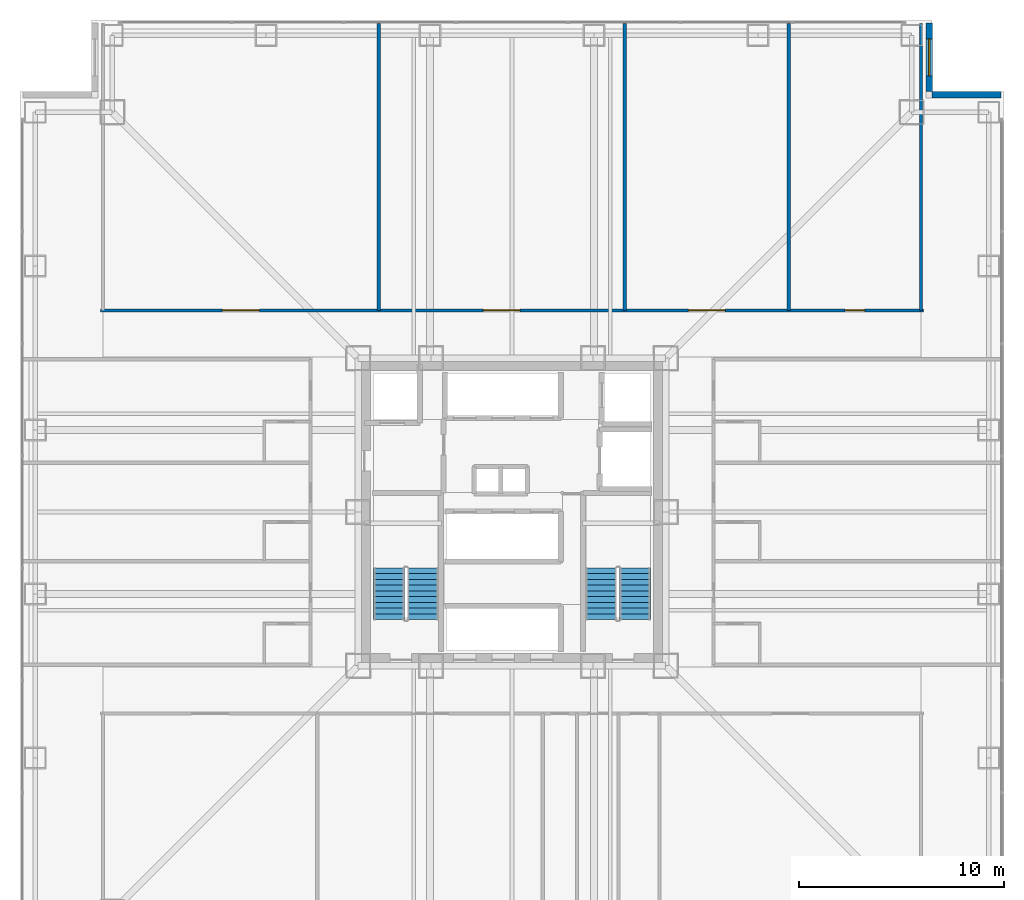
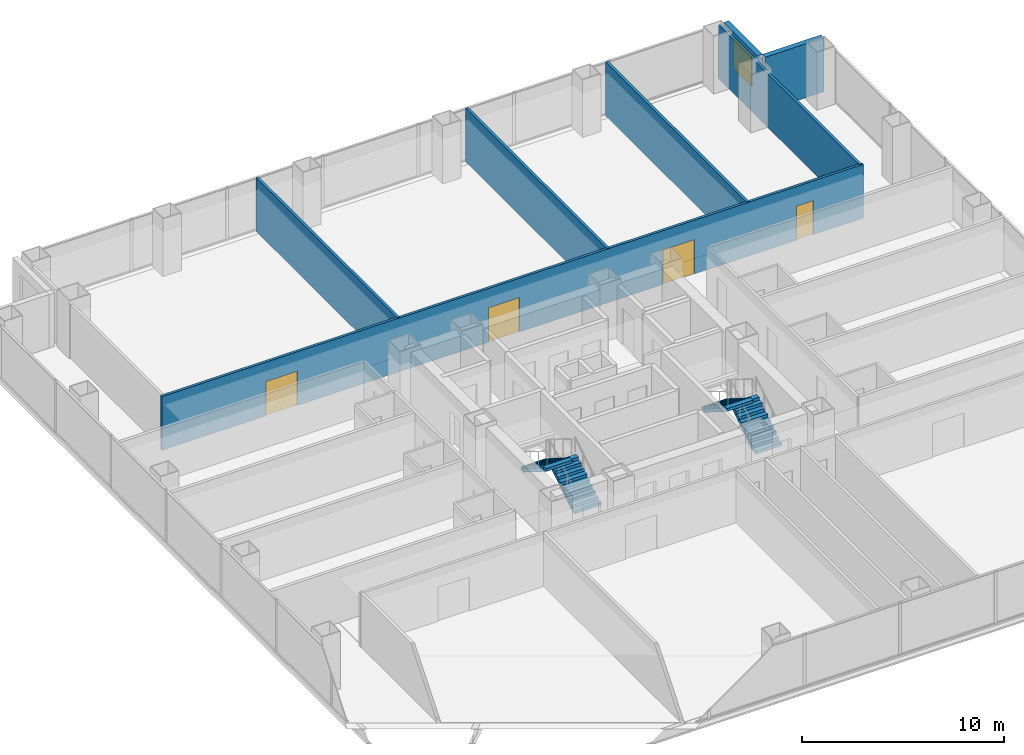
# One storey, part 13 of 16: 7 walls, 4 doors, 4 stair flights, 1 window, 5 openings, 2 elements without a shape of their own.
"""IFC4 building model written with IfcOpenShell, lengths in metres."""

from ifc_helpers import new_model, si_unit, direction, frame, frame_2d, origin, place, context, subcontext, project, spatial, polyline, rectangle, outline, extrude, material, layer, layer_set, type_object, element, fill, aggregate, save


model = new_model("IFC4")

# Units and contexts
model_context = context("Model", 3, precision=1e-05, world=origin(), true_north=direction((0.0, 1.0)))
body_context = subcontext(model_context, "Body", "Model", "MODEL_VIEW")
ifc_project = project(units=[si_unit("LENGTHUNIT", "METRE"), si_unit("AREAUNIT", "SQUARE_METRE"), si_unit("VOLUMEUNIT", "CUBIC_METRE"), si_unit("PLANEANGLEUNIT", "RADIAN"), si_unit("MASSUNIT", "GRAM", prefix="KILO")], contexts=[model_context])

# Site, building, storey
site_placement = place(None, origin())
site = spatial("IfcSite", under=ifc_project, at=site_placement, CompositionType="ELEMENT")
building_placement = place(site_placement, origin())
building = spatial("IfcBuilding", under=site, at=building_placement, Name="Trevonay Congress Spire", CompositionType="ELEMENT")
storey_placement = place(building_placement, frame((0.0, 0.0, 51.5)))
storey = spatial("IfcBuildingStorey", under=building, at=storey_placement, Name="L12", CompositionType="ELEMENT", Elevation=51.5)

# Wall, openings, doors
ifc_material_1 = material(Name="Concrete C40/50", Category="concrete")
ifc_layer_1 = layer(ifc_material_1, 0.14990234375, Name="Concrete C40/50")
ifc_layer_set_1 = layer_set([ifc_layer_1], Name="Concrete C40/50")
wall_type_1 = type_object("IfcWallType", Name="WAL-CORR-150", PredefinedType="PARTITIONING", material=ifc_layer_set_1)
wall_1_placement = place(storey_placement, frame((-20.070068359375, 9.830078125, 0.0), z_axis=(0.0, 0.0, 1.0), x_axis=(1.0, 0.0, 0.0)))
wall_1 = element("IfcWall", 1, at=wall_1_placement, inside=storey, type_object=wall_type_1, Name="L12 interior wall WP-L12N-COR", PredefinedType="PARTITIONING", context=body_context, shape_type="SweptSolid", body=[
    extrude(rectangle(XDim=40.14013671875, YDim=0.14990234375, at=frame_2d((20.070068359375, 0.0))), origin(), (0.0, 0.0, 1.0), 3.25),
])
opening_1_placement = place(wall_1_placement, frame((5.945068359375, 0.0, 0.0)))
opening_1 = element("IfcOpeningElement", 2, at=opening_1_placement, cuts=wall_1, Name="Opening D09", PredefinedType="OPENING", context=body_context, shape_type="SweptSolid", body=[
    extrude(rectangle(XDim=1.800048828125, YDim=2.080078125, at=frame_2d((0.89990234375, 1.0400390625))), frame((0.0, 0.0849609375, 0.0), z_axis=(0.0, -1.0, 0.0), x_axis=(1.0, 0.0, 0.0)), (0.0, 0.0, 1.0), 0.169921875),
])
opening_2_placement = place(wall_1_placement, frame((18.669921875, 0.0, 0.0)))
opening_2 = element("IfcOpeningElement", 3, at=opening_2_placement, cuts=wall_1, Name="Opening D09", PredefinedType="OPENING", context=body_context, shape_type="SweptSolid", body=[
    extrude(rectangle(XDim=1.800048828125, YDim=2.080078125, at=frame_2d((0.89990234375, 1.0400390625))), frame((0.0, 0.0849609375, 0.0), z_axis=(0.0, -1.0, 0.0), x_axis=(1.0, 0.0, 0.0)), (0.0, 0.0, 1.0), 0.169921875),
])
opening_3_placement = place(wall_1_placement, frame((28.669921875, 0.0, 0.0)))
opening_3 = element("IfcOpeningElement", 4, at=opening_3_placement, cuts=wall_1, Name="Opening D09", PredefinedType="OPENING", context=body_context, shape_type="SweptSolid", body=[
    extrude(rectangle(XDim=1.800048828125, YDim=2.080078125, at=frame_2d((0.89990234375, 1.0400390625))), frame((0.0, 0.0849609375, 0.0), z_axis=(0.0, -1.0, 0.0), x_axis=(1.0, 0.0, 0.0)), (0.0, 0.0, 1.0), 0.169921875),
])
opening_4_placement = place(wall_1_placement, frame((36.320068359375, 0.0, 0.0)))
opening_4 = element("IfcOpeningElement", 5, at=opening_4_placement, cuts=wall_1, Name="Opening D07", PredefinedType="OPENING", context=body_context, shape_type="SweptSolid", body=[
    extrude(rectangle(XDim=0.949951171875, YDim=2.06005859375, at=frame_2d((0.47509765625, 1.030029296875))), frame((0.0, 0.0849609375, 0.0), z_axis=(0.0, -1.0, 0.0), x_axis=(1.0, 0.0, 0.0)), (0.0, 0.0, 1.0), 0.169921875),
])
ifc_material_2 = material(Name="Pale Anodised Aluminium EN AW-6063-T6", Category="aluminium")
door_type_1 = type_object("IfcDoorType", Name="DOR-CONF-DBL", OperationType="DOUBLE_DOOR_SINGLE_SWING", PredefinedType="DOOR", material=ifc_material_2)
door_1_placement = place(opening_1_placement, origin())
door_1 = element("IfcDoor", 6, at=door_1_placement, inside=storey, type_object=door_type_1, Name="L12 Hotel Wellness Fitness Gym Door", OperationType="DOUBLE_DOOR_SINGLE_SWING", OverallHeight=2.080078125, OverallWidth=1.800048828125, PredefinedType="DOOR", context=body_context, shape_type="SweptSolid", body=[
    extrude(rectangle(XDim=1.800048828125, YDim=2.080078125, at=frame_2d((0.89990234375, 1.0400390625))), frame((0.0, 0.02490234375, 0.0), z_axis=(0.0, -1.0, 0.0), x_axis=(1.0, 0.0, 0.0)), (0.0, 0.0, 1.0), 0.050048828125),
])
fill(opening_1, door_1)
door_2_placement = place(opening_2_placement, origin())
door_2 = element("IfcDoor", 7, at=door_2_placement, inside=storey, type_object=door_type_1, Name="L12 Garden Terrace Brasserie Dining Door", OperationType="DOUBLE_DOOR_SINGLE_SWING", OverallHeight=2.080078125, OverallWidth=1.800048828125, PredefinedType="DOOR", context=body_context, shape_type="SweptSolid", body=[
    extrude(rectangle(XDim=1.800048828125, YDim=2.080078125, at=frame_2d((0.89990234375, 1.0400390625))), frame((0.0, 0.02490234375, 0.0), z_axis=(0.0, -1.0, 0.0), x_axis=(1.0, 0.0, 0.0)), (0.0, 0.0, 1.0), 0.050048828125),
])
fill(opening_2, door_2)
door_3_placement = place(opening_3_placement, origin())
door_3 = element("IfcDoor", 8, at=door_3_placement, inside=storey, type_object=door_type_1, Name="L12 Brasserie Show Kitchen Door", OperationType="DOUBLE_DOOR_SINGLE_SWING", OverallHeight=2.080078125, OverallWidth=1.800048828125, PredefinedType="DOOR", context=body_context, shape_type="SweptSolid", body=[
    extrude(rectangle(XDim=1.800048828125, YDim=2.080078125, at=frame_2d((0.89990234375, 1.0400390625))), frame((0.0, 0.02490234375, 0.0), z_axis=(0.0, -1.0, 0.0), x_axis=(1.0, 0.0, 0.0)), (0.0, 0.0, 1.0), 0.050048828125),
])
fill(opening_3, door_3)
door_type_2 = type_object("IfcDoorType", Name="DOR-OFFICE-95", OperationType="NOTDEFINED", PredefinedType="DOOR", material=ifc_material_2)
door_4_placement = place(opening_4_placement, origin())
door_4 = element("IfcDoor", 9, at=door_4_placement, inside=storey, type_object=door_type_2, Name="L12 Housekeeping and Linen Room Door", OperationType="SINGLE_SWING_LEFT", OverallHeight=2.06005859375, OverallWidth=0.949951171875, PredefinedType="DOOR", context=body_context, shape_type="SweptSolid", body=[
    extrude(rectangle(XDim=0.949951171875, YDim=2.06005859375, at=frame_2d((0.47509765625, 1.030029296875))), frame((0.0, 0.02490234375, 0.0), z_axis=(0.0, -1.0, 0.0), x_axis=(1.0, 0.0, 0.0)), (0.0, 0.0, 1.0), 0.050048828125),
])
fill(opening_4, door_4)

# Wall, opening, window
ifc_material_3 = material(Name="Precast concrete C40/50", Category="concrete")
ifc_layer_2 = layer(ifc_material_3, 0.300048828125, Name="Precast concrete C40/50")
ifc_layer_set_2 = layer_set([ifc_layer_2], Name="Precast concrete C40/50")
wall_type_2 = type_object("IfcWallType", Name="WAL-EXT-PRECAST-300", PredefinedType="SOLIDWALL", material=ifc_layer_set_2)
wall_2_placement = place(storey_placement, frame((20.35009765625, 23.85009765625, 0.0), z_axis=(0.0, 0.0, 1.0), x_axis=(0.0, -1.0, 0.0)))
wall_2 = element("IfcWall", 10, at=wall_2_placement, inside=storey, type_object=wall_type_2, Name="L12 NE re-entrant notch exterior wall 1", PredefinedType="SOLIDWALL", context=body_context, shape_type="SweptSolid", body=[
    extrude(rectangle(XDim=3.35009765625, YDim=0.300048828125, at=frame_2d((1.675048828125, 0.0))), origin(), (0.0, 0.0, 1.0), 3.25),
])
opening_5_placement = place(wall_2_placement, frame((0.77490234375, 0.0, 0.89990234375)))
opening_5 = element("IfcOpeningElement", 11, at=opening_5_placement, cuts=wall_2, Name="Opening WN01", PredefinedType="OPENING", context=body_context, shape_type="SweptSolid", body=[
    extrude(rectangle(XDim=1.800048828125, YDim=1.800048828125, at=frame_2d((0.89990234375, 0.89990234375))), frame((0.0, 0.16015625, 0.0), z_axis=(0.0, -1.0, 0.0), x_axis=(1.0, 0.0, 0.0)), (0.0, 0.0, 1.0), 0.320068359375),
])
ifc_material_4 = material(Name="Insulated Low-E Vision Glass IGU", Category="glass")
window_type = type_object("IfcWindowType", Name="WIN-HOTEL-180X180", PartitioningType="SINGLE_PANEL", PredefinedType="WINDOW", material=ifc_material_4)
window_placement = place(opening_5_placement, origin())
window = element("IfcWindow", 12, at=window_placement, inside=storey, type_object=window_type, Name="L12 NE corner notch window", OverallHeight=1.800048828125, OverallWidth=1.800048828125, PartitioningType="SINGLE_PANEL", PredefinedType="WINDOW", context=body_context, shape_type="SweptSolid", body=[
    extrude(rectangle(XDim=1.800048828125, YDim=1.800048828125, at=frame_2d((0.89990234375, 0.89990234375))), frame((0.0, 0.030029296875, 0.0), z_axis=(0.0, -1.0, 0.0), x_axis=(1.0, 0.0, 0.0)), (0.0, 0.0, 1.0), 0.06005859375),
])
fill(opening_5, window)

# Walls
wall_3_placement = place(storey_placement, frame((23.85009765625, 20.35009765625, 0.0), z_axis=(0.0, 0.0, 1.0), x_axis=(-1.0, 0.0, 0.0)))
element("IfcWall", 13, at=wall_3_placement, inside=storey, type_object=wall_type_2, Name="L12 NE re-entrant notch exterior wall 2", PredefinedType="SOLIDWALL", context=body_context, shape_type="SweptSolid", body=[
    extrude(rectangle(XDim=3.35009765625, YDim=0.300048828125, at=frame_2d((1.675048828125, 0.0))), origin(), (0.0, 0.0, 1.0), 3.25),
])
ifc_layer_3 = layer(ifc_material_1, 0.14990234375, Name="Concrete C40/50")
ifc_layer_set_3 = layer_set([ifc_layer_3], Name="Concrete C40/50")
wall_type_3 = type_object("IfcWallType", Name="WAL-PART-150", PredefinedType="PARTITIONING", material=ifc_layer_set_3)
for number, where, z_axis, x_axis, name in (
    (14, (-6.5, 9.830078125, 0.0), (0.0, 0.0, 1.0), (0.0, 1.0, 0.0), "L12 interior wall WP-L12N-DIV2"),
    (15, (5.5, 9.830078125, 0.0), (0.0, 0.0, 1.0), (0.0, 1.0, 0.0), "L12 interior wall WP-L12N-DIV3"),
    (16, (13.5, 9.830078125, 0.0), (0.0, 0.0, 1.0), (0.0, 1.0, 0.0), "L12 interior wall WP-L12N-DIV4"),
    (17, (19.949951171875, 9.830078125, 0.0), (0.0, 0.0, 1.0), (0.0, 1.0, 0.0), "L12 interior wall WP-L12N-DIV5"),
):
    element("IfcWall", number, at=place(storey_placement, frame(where, z_axis=z_axis, x_axis=x_axis)), inside=storey, type_object=wall_type_3, Name=name, PredefinedType="PARTITIONING", context=body_context, shape_type="SweptSolid", body=[
        extrude(rectangle(XDim=13.989990234375, YDim=0.14990234375, at=frame_2d((6.9951171875, 0.0))), origin(), (0.0, 0.0, 1.0), 3.25),
    ])

# Stair, stair flights
stair_type_1 = type_object("IfcStairType", Name="STR-ST-1", PredefinedType="HALF_TURN_STAIR", material=ifc_material_1)
stair_1_placement = place(storey_placement, origin())
stair_1 = element("IfcStair", 18, at=stair_1_placement, inside=storey, type_object=stair_type_1, Name="L12 Protected Exit Stair ST-1", PredefinedType="HALF_TURN_STAIR")
stair_flight_type_1 = type_object("IfcStairFlightType", Name="SFL-ST-1", PredefinedType="STRAIGHT", material=ifc_material_1)
stair_flight_1_placement = place(storey_placement, frame((-4.35009765625, -5.25, 0.0), z_axis=(0.0, 0.0, 1.0), x_axis=(0.0, 1.0, 0.0)))
stair_flight_1 = element("IfcStairFlight", 19, at=stair_flight_1_placement, type_object=stair_flight_type_1, Name="ST-1 flight 1", NumberOfRisers=10, NumberOfTreads=9, PredefinedType="STRAIGHT", RiserHeight=0.175, TreadLength=0.28, context=body_context, shape_type="SweptSolid", body=[
    extrude(outline(polyline([(0.0, 0.0), (0.0, 0.175048828125), (0.280029296875, 0.175048828125), (0.280029296875, 0.35009765625), (0.56005859375, 0.35009765625), (0.56005859375, 0.52490234375), (0.840087890625, 0.52490234375), (0.840087890625, 0.699951171875), (1.1201171875, 0.699951171875), (1.1201171875, 0.875), (1.39990234375, 0.875), (1.39990234375, 1.050048828125), (1.679931640625, 1.050048828125), (1.679931640625, 1.22509765625), (1.9599609375, 1.22509765625), (1.9599609375, 1.39990234375), (2.239990234375, 1.39990234375), (2.239990234375, 1.574951171875), (2.52001953125, 1.574951171875), (2.52001953125, 1.75), (2.52001953125, 1.398193359375), (0.28271484375, 0.0), (0.0, 0.0)])), frame((0.0, 0.75, 0.0), z_axis=(0.0, -1.0, 0.0), x_axis=(1.0, 0.0, 0.0)), (0.0, 0.0, 1.0), 1.5),
])
stair_flight_2_placement = place(storey_placement, frame((-6.0, -2.72998046875, 1.75), z_axis=(0.0, 0.0, 1.0), x_axis=(0.0, -1.0, 0.0)))
stair_flight_2 = element("IfcStairFlight", 20, at=stair_flight_2_placement, type_object=stair_flight_type_1, Name="ST-1 flight 2", NumberOfRisers=10, NumberOfTreads=9, PredefinedType="STRAIGHT", RiserHeight=0.175, TreadLength=0.28, context=body_context, shape_type="SweptSolid", body=[
    extrude(outline(polyline([(0.0, 0.0), (0.0, 0.175048828125), (0.280029296875, 0.175048828125), (0.280029296875, 0.35009765625), (0.56005859375, 0.35009765625), (0.56005859375, 0.52490234375), (0.840087890625, 0.52490234375), (0.840087890625, 0.699951171875), (1.1201171875, 0.699951171875), (1.1201171875, 0.875), (1.39990234375, 0.875), (1.39990234375, 1.050048828125), (1.679931640625, 1.050048828125), (1.679931640625, 1.22509765625), (1.9599609375, 1.22509765625), (1.9599609375, 1.39990234375), (2.239990234375, 1.39990234375), (2.239990234375, 1.574951171875), (2.52001953125, 1.574951171875), (2.52001953125, 1.75), (2.52001953125, 1.398193359375), (0.28271484375, 0.0), (0.0, 0.0)])), frame((0.0, 0.75, 0.0), z_axis=(0.0, -1.0, 0.0), x_axis=(1.0, 0.0, 0.0)), (0.0, 0.0, 1.0), 1.5),
])
aggregate(stair_1, [stair_flight_1, stair_flight_2])

stair_type_2 = type_object("IfcStairType", Name="STR-ST-2", PredefinedType="HALF_TURN_STAIR", material=ifc_material_1)
stair_2_placement = place(storey_placement, origin())
stair_2 = element("IfcStair", 21, at=stair_2_placement, inside=storey, type_object=stair_type_2, Name="L12 Protected Exit Stair ST-2", PredefinedType="HALF_TURN_STAIR")
stair_flight_type_2 = type_object("IfcStairFlightType", Name="SFL-ST-2", PredefinedType="STRAIGHT", material=ifc_material_1)
stair_flight_3_placement = place(storey_placement, frame((6.0, -5.25, 0.0), z_axis=(0.0, 0.0, 1.0), x_axis=(0.0, 1.0, 0.0)))
stair_flight_3 = element("IfcStairFlight", 22, at=stair_flight_3_placement, type_object=stair_flight_type_2, Name="ST-2 flight 1", NumberOfRisers=10, NumberOfTreads=9, PredefinedType="STRAIGHT", RiserHeight=0.175, TreadLength=0.28, context=body_context, shape_type="SweptSolid", body=[
    extrude(outline(polyline([(0.0, 0.0), (0.0, 0.175048828125), (0.280029296875, 0.175048828125), (0.280029296875, 0.35009765625), (0.56005859375, 0.35009765625), (0.56005859375, 0.52490234375), (0.840087890625, 0.52490234375), (0.840087890625, 0.699951171875), (1.1201171875, 0.699951171875), (1.1201171875, 0.875), (1.39990234375, 0.875), (1.39990234375, 1.050048828125), (1.679931640625, 1.050048828125), (1.679931640625, 1.22509765625), (1.9599609375, 1.22509765625), (1.9599609375, 1.39990234375), (2.239990234375, 1.39990234375), (2.239990234375, 1.574951171875), (2.52001953125, 1.574951171875), (2.52001953125, 1.75), (2.52001953125, 1.398193359375), (0.28271484375, 0.0), (0.0, 0.0)])), frame((0.0, 0.75, 0.0), z_axis=(0.0, -1.0, 0.0), x_axis=(1.0, 0.0, 0.0)), (0.0, 0.0, 1.0), 1.5),
])
stair_flight_4_placement = place(storey_placement, frame((4.35009765625, -2.72998046875, 1.75), z_axis=(0.0, 0.0, 1.0), x_axis=(0.0, -1.0, 0.0)))
stair_flight_4 = element("IfcStairFlight", 23, at=stair_flight_4_placement, type_object=stair_flight_type_2, Name="ST-2 flight 2", NumberOfRisers=10, NumberOfTreads=9, PredefinedType="STRAIGHT", RiserHeight=0.175, TreadLength=0.28, context=body_context, shape_type="SweptSolid", body=[
    extrude(outline(polyline([(0.0, 0.0), (0.0, 0.175048828125), (0.280029296875, 0.175048828125), (0.280029296875, 0.35009765625), (0.56005859375, 0.35009765625), (0.56005859375, 0.52490234375), (0.840087890625, 0.52490234375), (0.840087890625, 0.699951171875), (1.1201171875, 0.699951171875), (1.1201171875, 0.875), (1.39990234375, 0.875), (1.39990234375, 1.050048828125), (1.679931640625, 1.050048828125), (1.679931640625, 1.22509765625), (1.9599609375, 1.22509765625), (1.9599609375, 1.39990234375), (2.239990234375, 1.39990234375), (2.239990234375, 1.574951171875), (2.52001953125, 1.574951171875), (2.52001953125, 1.75), (2.52001953125, 1.398193359375), (0.28271484375, 0.0), (0.0, 0.0)])), frame((0.0, 0.75, 0.0), z_axis=(0.0, -1.0, 0.0), x_axis=(1.0, 0.0, 0.0)), (0.0, 0.0, 1.0), 1.5),
])
aggregate(stair_2, [stair_flight_3, stair_flight_4])

save(model, "model.ifc")
